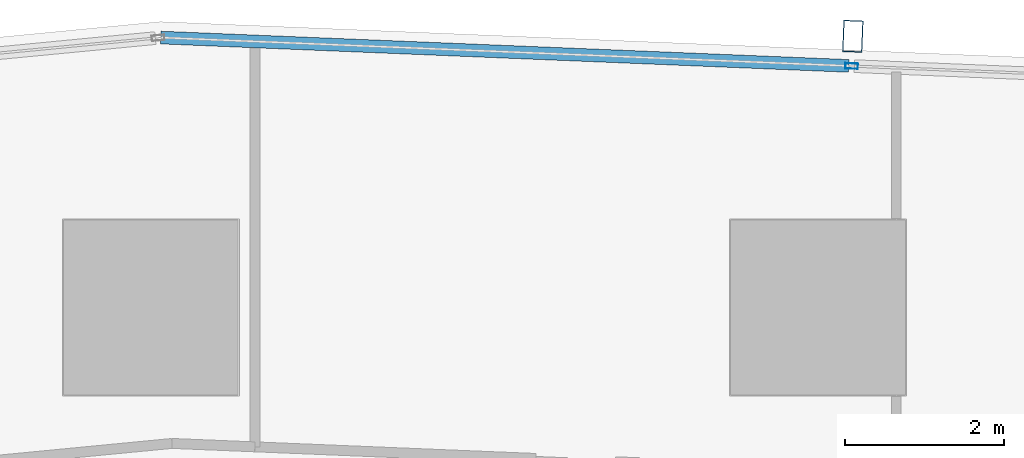
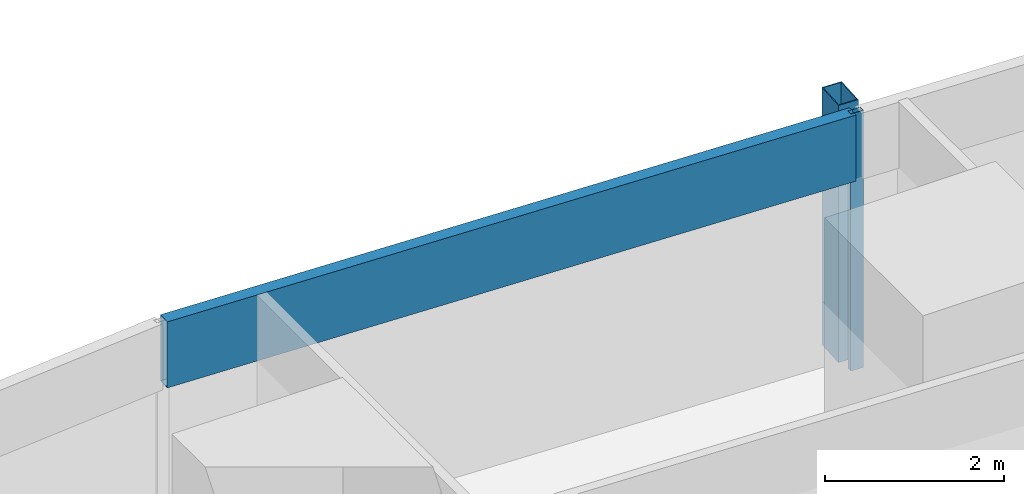
# One storey, part 18 of 44: 3 members, 1 element without a shape of its own.
"""IFC4 building model written with IfcOpenShell, lengths in metres."""

from ifc_helpers import new_model, si_unit, direction, frame, origin, origin_2d, place, context, subcontext, project, spatial, hollow_rectangle, extrude, material, material_profile, profile_set, type_object, element, aggregate, save


model = new_model("IFC4")

# Units and contexts
model_context = context("Model", 3, precision=1e-05, world=origin(), true_north=direction((0.0, 1.0)))
body_context = subcontext(model_context, "Body", "Model", "MODEL_VIEW")
ifc_project = project(units=[si_unit("LENGTHUNIT", "METRE"), si_unit("AREAUNIT", "SQUARE_METRE"), si_unit("VOLUMEUNIT", "CUBIC_METRE"), si_unit("PLANEANGLEUNIT", "RADIAN"), si_unit("MASSUNIT", "GRAM", prefix="KILO")], contexts=[model_context])

# Site, building, storey
site_placement = place(None, origin())
site = spatial("IfcSite", under=ifc_project, at=site_placement, CompositionType="ELEMENT")
building_placement = place(site_placement, origin())
building = spatial("IfcBuilding", under=site, at=building_placement, Name="Rekha Terrace Tower", CompositionType="ELEMENT")
storey_placement = place(building_placement, frame((0.0, 0.0, 62.89990234375)))
storey = spatial("IfcBuildingStorey", under=building, at=storey_placement, Name="L15", CompositionType="ELEMENT", Elevation=62.89990234375)

# Curtain wall, members
ifc_material_1 = material(Name="Aluminium framing", Category="aluminium")
curtain_wall_type = type_object("IfcCurtainWallType", Name="CW3 north unitised glazing", PredefinedType="USERDEFINED", material=ifc_material_1)
curtain_wall_placement = place(storey_placement, origin())
curtain_wall = element("IfcCurtainWall", 1, at=curtain_wall_placement, inside=storey, type_object=curtain_wall_type, Name="CW3 unitised curtain wall", ObjectType="UNITISED CURTAIN WALL", PredefinedType="USERDEFINED")
ifc_material_2 = material(Name="Steel S355 with fluorocarbon finish", Category="steel")
ifc_material_profile_1 = material_profile(ifc_material_2, hollow_rectangle(XDim=0.25, YDim=0.39990234375, WallThickness=0.012451171875, at=origin_2d()), Name="RHS400x250x12.5")
ifc_profile_set_1 = profile_set([ifc_material_profile_1], Name="Steel S355 with fluorocarbon finish")
member_type_1 = type_object("IfcMemberType", Name="BL1 facade blade RHS 400 x 250", PredefinedType="USERDEFINED", material=ifc_profile_set_1)
member_1_placement = place(storey_placement, frame((34.037353515625, 62.2158203125, 0.0), z_axis=(0.0, 0.0, 1.0), x_axis=(-0.99915196507, 0.041174636562, 0.0)))
member_1 = element("IfcMember", 2, at=member_1_placement, type_object=member_type_1, Name="Facade blade", ObjectType="FACADE BLADE", PredefinedType="USERDEFINED", context=body_context, shape_type="SweptSolid", body=[
    extrude(hollow_rectangle(XDim=0.25, YDim=0.39990234375, WallThickness=0.012451171875, at=origin_2d()), origin(), (0.0, 0.0, 1.0), 3.5),
])
ifc_material_3 = material(Name="Aluminium mullion section", Category="aluminium")
ifc_material_profile_2 = material_profile(ifc_material_3, hollow_rectangle(XDim=0.070068359375, YDim=0.159912109375, WallThickness=0.00390625, at=origin_2d()), Name="AL RHS 70x160")
ifc_profile_set_2 = profile_set([ifc_material_profile_2], Name="Aluminium mullion section")
member_type_2 = type_object("IfcMemberType", Name="CW3 mullion RHS 70 x 160", PredefinedType="MULLION", material=ifc_profile_set_2)
member_2_placement = place(storey_placement, frame((34.02197265625, 61.84130859375, 0.0), z_axis=(0.0, 0.0, 1.0), x_axis=(-0.041173846041, -0.999151997647, 0.0)))
member_2 = element("IfcMember", 3, at=member_2_placement, type_object=member_type_2, Name="CW3 mullion 5", PredefinedType="MULLION", context=body_context, shape_type="SweptSolid", body=[
    extrude(hollow_rectangle(XDim=0.070068359375, YDim=0.159912109375, WallThickness=0.00390625, at=origin_2d()), origin(), (0.0, 0.0, 1.0), 3.5),
])
ifc_material_4 = material(Name="Insulated aluminium spandrel box", Category="aluminium")
ifc_material_profile_3 = material_profile(ifc_material_4, hollow_rectangle(XDim=0.159912109375, YDim=0.89990234375, WallThickness=0.0029296875, at=origin_2d()), Name="AL SPANDREL BOX 160x900")
ifc_profile_set_3 = profile_set([ifc_material_profile_3], Name="Insulated aluminium spandrel box")
member_type_3 = type_object("IfcMemberType", Name="CW3 spandrel transom 160 x 900", PredefinedType="USERDEFINED", material=ifc_profile_set_3)
member_3_placement = place(storey_placement, frame((33.987060546875, 61.8427734375, 3.050048828125), z_axis=(-0.999152004012, 0.04117369158, 0.0), x_axis=(-0.04117369158, -0.999152004012, 0.0)))
member_3 = element("IfcMember", 4, at=member_3_placement, type_object=member_type_3, Name="CW3 spandrel transom 5", ObjectType="TRANSOM", PredefinedType="USERDEFINED", context=body_context, shape_type="SweptSolid", body=[
    extrude(hollow_rectangle(XDim=0.159912109375, YDim=0.89990234375, WallThickness=0.0029296875, at=origin_2d()), origin(), (0.0, 0.0, 1.0), 8.6689453125),
])
aggregate(curtain_wall, [member_2, member_3, member_1])

save(model, "model.ifc")
